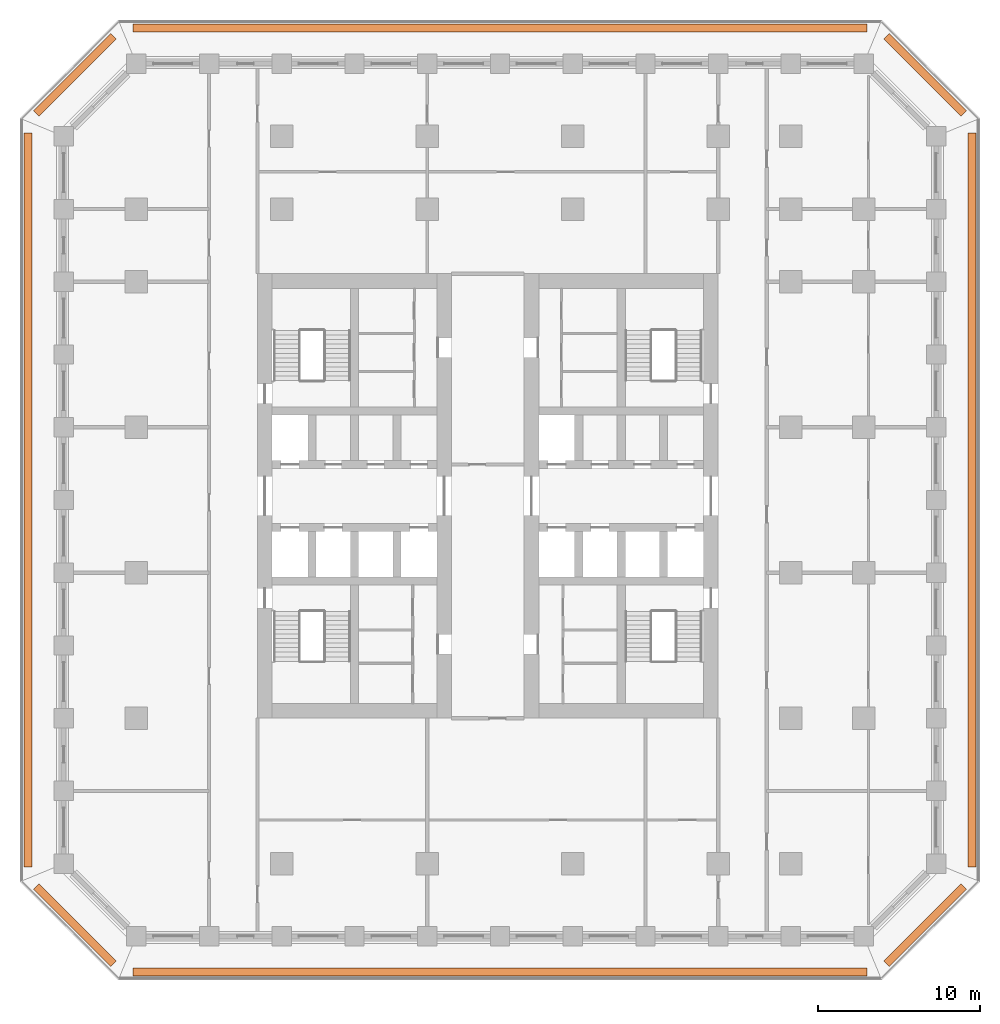
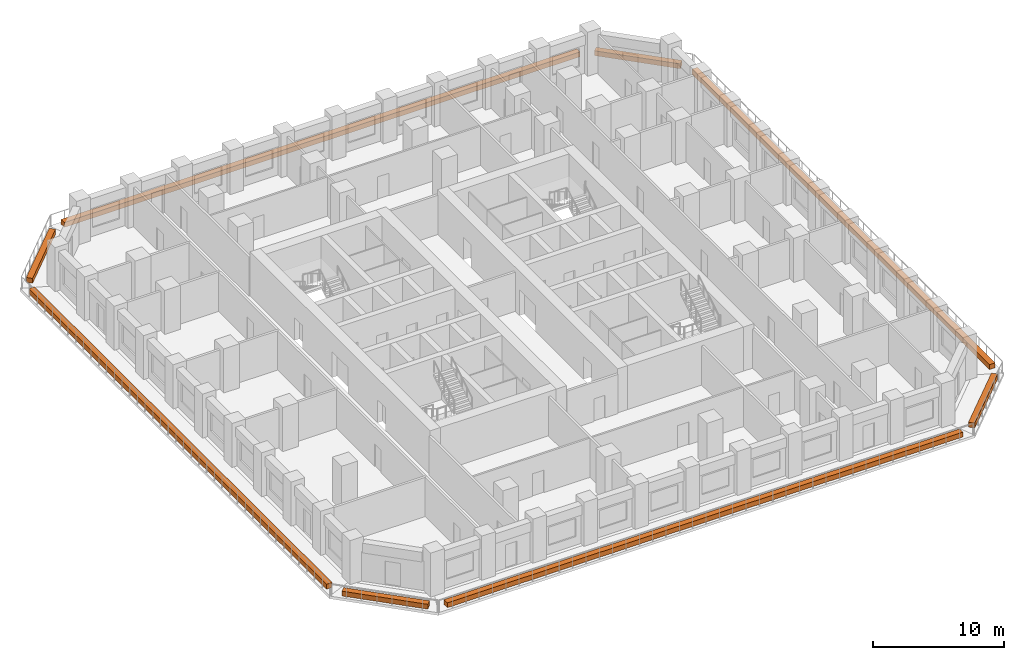
# One storey, part 17 of 17: 8 proxies.
"""IFC4 building model written with IfcOpenShell, lengths in metres."""

from ifc_helpers import new_model, si_unit, direction, frame, origin, origin_2d, place, context, subcontext, project, spatial, rectangle, extrude, material, type_object, element, save


model = new_model("IFC4")

# Units and contexts
model_context = context("Model", 3, precision=1e-05, world=origin(), true_north=direction((0.0, 1.0)))
body_context = subcontext(model_context, "Body", "Model", "MODEL_VIEW")
ifc_project = project(units=[si_unit("LENGTHUNIT", "METRE"), si_unit("AREAUNIT", "SQUARE_METRE"), si_unit("VOLUMEUNIT", "CUBIC_METRE"), si_unit("PLANEANGLEUNIT", "RADIAN"), si_unit("MASSUNIT", "GRAM", prefix="KILO")], contexts=[model_context])

# Site, building, storey
site_placement = place(None, origin())
site = spatial("IfcSite", under=ifc_project, at=site_placement, CompositionType="ELEMENT")
building_placement = place(site_placement, origin())
building = spatial("IfcBuilding", under=site, at=building_placement, Name="Corbel Stack Research Tower", CompositionType="ELEMENT")
storey_placement = place(building_placement, frame((0.0, 0.0, 94.300048828125)))
storey = spatial("IfcBuildingStorey", under=building, at=storey_placement, Name="L21", CompositionType="ELEMENT", Elevation=94.300048828125)

# Proxies
ifc_material = material(Name="Concrete C45/55", Category="concrete")
building_element_proxy_type = type_object("IfcBuildingElementProxyType", Name="Planter box", PredefinedType="USERDEFINED", material=ifc_material)
proxy_1_placement = place(storey_placement, frame((4.5, -24.699951171875, 0.0), z_axis=(0.0, 0.0, 1.0), x_axis=(1.0, 0.0, 0.0)))
element("IfcBuildingElementProxy", 1, at=proxy_1_placement, inside=storey, type_object=building_element_proxy_type, Name="Planter L21 S", ObjectType="PLANTER", PredefinedType="USERDEFINED", context=body_context, shape_type="SweptSolid", body=[
    extrude(rectangle(XDim=45.41064453125, YDim=0.5, at=origin_2d()), origin(), (0.0, 0.0, 1.0), 0.449951171875),
])
proxy_2_placement = place(storey_placement, frame((30.8056640625, -21.8056640625, 0.0), z_axis=(0.0, 0.0, 1.0), x_axis=(0.707106781187, 0.707106781187, 0.0)))
element("IfcBuildingElementProxy", 2, at=proxy_2_placement, inside=storey, type_object=building_element_proxy_type, Name="Planter L21 SE", ObjectType="PLANTER", PredefinedType="USERDEFINED", context=body_context, shape_type="SweptSolid", body=[
    extrude(rectangle(XDim=6.774658203125, YDim=0.5, at=origin_2d()), origin(), (0.0, 0.0, 1.0), 0.449951171875),
])
proxy_3_placement = place(storey_placement, frame((33.699951171875, 4.5, 0.0), z_axis=(0.0, 0.0, 1.0), x_axis=(0.0, 1.0, 0.0)))
element("IfcBuildingElementProxy", 3, at=proxy_3_placement, inside=storey, type_object=building_element_proxy_type, Name="Planter L21 E", ObjectType="PLANTER", PredefinedType="USERDEFINED", context=body_context, shape_type="SweptSolid", body=[
    extrude(rectangle(XDim=45.41064453125, YDim=0.5, at=origin_2d()), origin(), (0.0, 0.0, 1.0), 0.449951171875),
])
proxy_4_placement = place(storey_placement, frame((30.8056640625, 30.8056640625, 0.0), z_axis=(0.0, 0.0, 1.0), x_axis=(-0.707106781187, 0.707106781187, 0.0)))
element("IfcBuildingElementProxy", 4, at=proxy_4_placement, inside=storey, type_object=building_element_proxy_type, Name="Planter L21 NE", ObjectType="PLANTER", PredefinedType="USERDEFINED", context=body_context, shape_type="SweptSolid", body=[
    extrude(rectangle(XDim=6.774658203125, YDim=0.5, at=origin_2d()), origin(), (0.0, 0.0, 1.0), 0.449951171875),
])
proxy_5_placement = place(storey_placement, frame((4.5, 33.699951171875, 0.0), z_axis=(0.0, 0.0, 1.0), x_axis=(-1.0, 0.0, 0.0)))
element("IfcBuildingElementProxy", 5, at=proxy_5_placement, inside=storey, type_object=building_element_proxy_type, Name="Planter L21 N", ObjectType="PLANTER", PredefinedType="USERDEFINED", context=body_context, shape_type="SweptSolid", body=[
    extrude(rectangle(XDim=45.41064453125, YDim=0.5, at=origin_2d()), origin(), (0.0, 0.0, 1.0), 0.449951171875),
])
proxy_6_placement = place(storey_placement, frame((-21.8056640625, 30.8056640625, 0.0), z_axis=(0.0, 0.0, 1.0), x_axis=(-0.707106781187, -0.707106781187, 0.0)))
element("IfcBuildingElementProxy", 6, at=proxy_6_placement, inside=storey, type_object=building_element_proxy_type, Name="Planter L21 NW", ObjectType="PLANTER", PredefinedType="USERDEFINED", context=body_context, shape_type="SweptSolid", body=[
    extrude(rectangle(XDim=6.774658203125, YDim=0.5, at=origin_2d()), origin(), (0.0, 0.0, 1.0), 0.449951171875),
])
proxy_7_placement = place(storey_placement, frame((-24.699951171875, 4.5, 0.0), z_axis=(0.0, 0.0, 1.0), x_axis=(0.0, -1.0, 0.0)))
element("IfcBuildingElementProxy", 7, at=proxy_7_placement, inside=storey, type_object=building_element_proxy_type, Name="Planter L21 W", ObjectType="PLANTER", PredefinedType="USERDEFINED", context=body_context, shape_type="SweptSolid", body=[
    extrude(rectangle(XDim=45.41064453125, YDim=0.5, at=origin_2d()), origin(), (0.0, 0.0, 1.0), 0.449951171875),
])
proxy_8_placement = place(storey_placement, frame((-21.8056640625, -21.8056640625, 0.0), z_axis=(0.0, 0.0, 1.0), x_axis=(0.707106781187, -0.707106781187, 0.0)))
element("IfcBuildingElementProxy", 8, at=proxy_8_placement, inside=storey, type_object=building_element_proxy_type, Name="Planter L21 SW", ObjectType="PLANTER", PredefinedType="USERDEFINED", context=body_context, shape_type="SweptSolid", body=[
    extrude(rectangle(XDim=6.774658203125, YDim=0.5, at=origin_2d()), origin(), (0.0, 0.0, 1.0), 0.449951171875),
])

save(model, "model.ifc")
